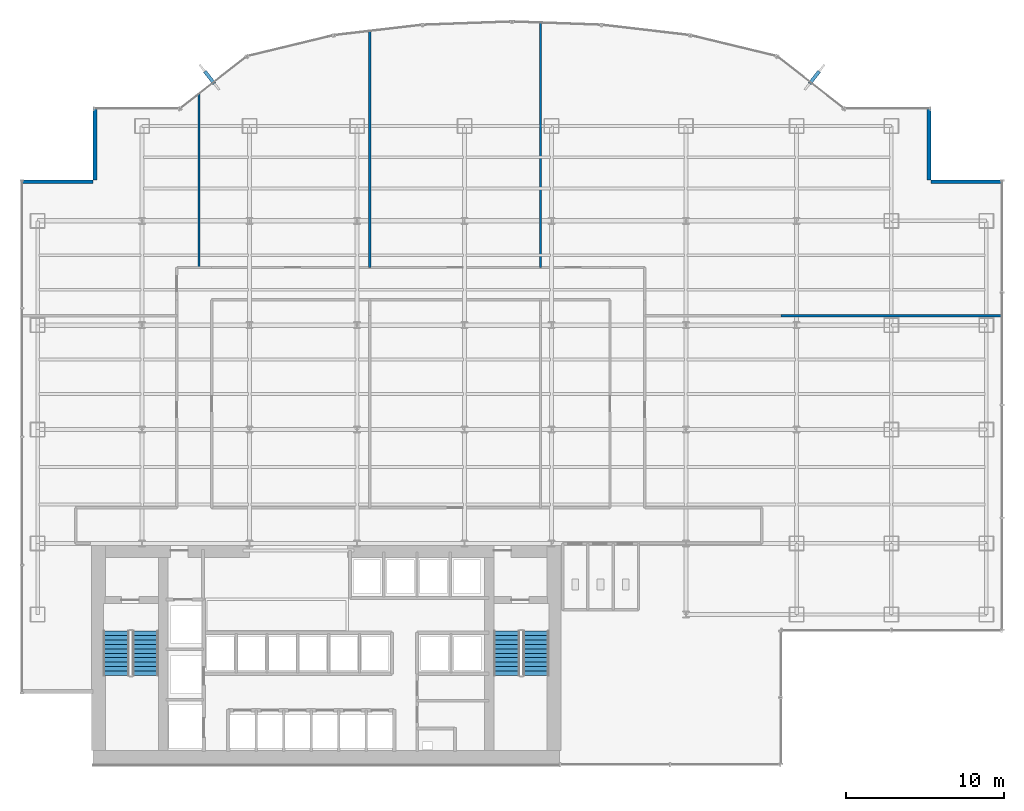
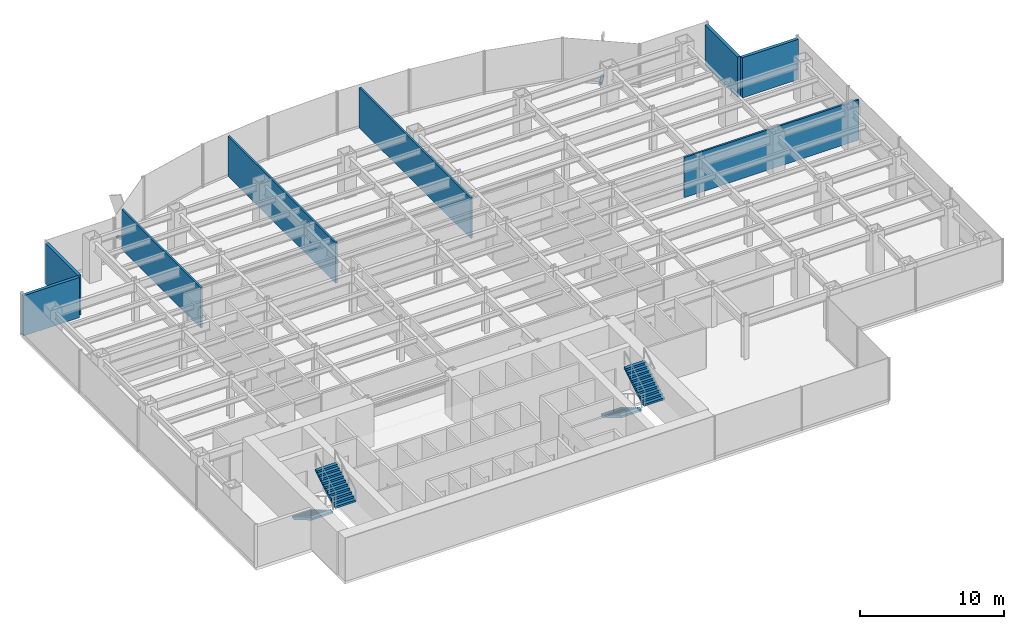
# One storey, part 20 of 23: 8 walls, 4 stair flights, 2 discrete accessories, 2 elements without a shape of their own.
"""IFC4 building model written with IfcOpenShell, lengths in metres."""

from ifc_helpers import new_model, si_unit, derived_unit, direction, frame, frame_2d, origin, origin_2d, place, context, subcontext, project, spatial, polyline, rectangle, outline, extrude, source, transform, mapped, material, layer, layer_set, type_object, element, aggregate, save


model = new_model("IFC4")

# Units and contexts
model_context = context("Model", 3, precision=1e-05, world=origin(), true_north=direction((0.0, 1.0)))
body_context = subcontext(model_context, "Body", "Model", "MODEL_VIEW")
ifc_project = project(units=[si_unit("LENGTHUNIT", "METRE"), si_unit("AREAUNIT", "SQUARE_METRE"), si_unit("VOLUMEUNIT", "CUBIC_METRE"), si_unit("PLANEANGLEUNIT", "RADIAN"), si_unit("MASSUNIT", "GRAM", prefix="KILO"), derived_unit("THERMALTRANSMITTANCEUNIT", [(si_unit("POWERUNIT", "WATT"), 1), (si_unit("LENGTHUNIT", "METRE"), -2), (si_unit("THERMODYNAMICTEMPERATUREUNIT", "KELVIN"), -1)])], contexts=[model_context])

# Site, building, storey
site_placement = place(None, origin())
site = spatial("IfcSite", under=ifc_project, at=site_placement, CompositionType="ELEMENT")
building_placement = place(site_placement, origin())
building = spatial("IfcBuilding", under=site, at=building_placement, Name="Skarnbrae Concourse Arena and Tower", CompositionType="ELEMENT")
storey_placement = place(building_placement, frame((0.0, 0.0, 54.39990234375)))
storey = spatial("IfcBuildingStorey", under=building, at=storey_placement, Name="L12", CompositionType="ELEMENT", Elevation=54.39990234375)

# Walls
ifc_material_1 = material(Name="Precast concrete 40 MPa (C40/50)", Category="concrete")
ifc_layer_1 = layer(ifc_material_1, 0.25)
ifc_layer_set_1 = layer_set([ifc_layer_1], Name="Precast concrete 40 MPa (C40/50)")
wall_type_1 = type_object("IfcWallType", Name="WALL-EXT-SPANDREL-250", PredefinedType="STANDARD", material=ifc_layer_set_1)
shared_shape_1 = source(origin(), body_context, "Body", "SweptSolid", [
    extrude(rectangle(XDim=4.5, YDim=0.25, at=frame_2d((2.25, 0.0))), origin(), (0.0, 0.0, 1.0), 3.400146484375),
])
for number, where, z_axis, x_axis, name in (
    (1, (62.0, 36.875, 0.0), (0.0, 0.0, 1.0), (-1.0, 0.0, 0.0), "L12 Notched corner insulated return wall 05"),
    (2, (57.375, 37.0, 0.0), (0.0, 0.0, 1.0), (0.0, 1.0, 0.0), "L12 Notched corner insulated return wall 06"),
    (3, (4.625, 41.5, 0.0), (0.0, 0.0, 1.0), (0.0, -1.0, 0.0), "L12 Notched corner insulated return wall 17"),
    (4, (4.5, 36.875, 0.0), (0.0, 0.0, 1.0), (-1.0, 0.0, 0.0), "L12 Notched corner insulated return wall 18"),
):
    element("IfcWall", number, at=place(storey_placement, frame(where, z_axis=z_axis, x_axis=x_axis)), inside=storey, type_object=wall_type_1, Name=name, PredefinedType="STANDARD", context=body_context, shape_type="MappedRepresentation", body=[
        mapped(shared_shape_1, transform((0.0, 0.0, 0.0))),
    ])
ifc_material_2 = material(Name="Gypsum board on cold-formed steel studs", Category="steel")
ifc_layer_2 = layer(ifc_material_2, 0.14990234375)
ifc_layer_set_2 = layer_set([ifc_layer_2], Name="Gypsum board on cold-formed steel studs")
wall_type_2 = type_object("IfcWallType", Name="WALL-PART-150", PredefinedType="PARTITIONING", material=ifc_layer_set_2)
shared_shape_2 = source(origin(), body_context, "Body", "SweptSolid", [
    extrude(rectangle(XDim=10.96337890625, YDim=0.14990234375, at=frame_2d((5.481689453125, 0.0))), origin(), (0.0, 0.0, 1.0), 3.400146484375),
])
wall_1_placement = place(storey_placement, frame((11.199951171875, 42.413330078125, 0.0), z_axis=(0.0, 0.0, 1.0), x_axis=(0.0, -1.0, 0.0)))
element("IfcWall", 5, at=wall_1_placement, inside=storey, type_object=wall_type_2, Name="L12 Interior partition wall W-L12-DEM-19", PredefinedType="PARTITIONING", context=body_context, shape_type="MappedRepresentation", body=[
    mapped(shared_shape_2, transform((0.0, 0.0, 0.0))),
])
shared_shape_3 = source(origin(), body_context, "Body", "SweptSolid", [
    extrude(rectangle(XDim=14.935791015625, YDim=0.14990234375, at=frame_2d((7.4677734375, 0.0))), origin(), (0.0, 0.0, 1.0), 3.400146484375),
])
wall_2_placement = place(storey_placement, frame((22.0, 46.3857421875, 0.0), z_axis=(0.0, 0.0, 1.0), x_axis=(0.0, -1.0, 0.0)))
element("IfcWall", 6, at=wall_2_placement, inside=storey, type_object=wall_type_2, Name="L12 Interior partition wall W-L12-DEM-22", PredefinedType="PARTITIONING", context=body_context, shape_type="MappedRepresentation", body=[
    mapped(shared_shape_3, transform((0.0, 0.0, 0.0))),
])
shared_shape_4 = source(origin(), body_context, "Body", "SweptSolid", [
    extrude(rectangle(XDim=15.46533203125, YDim=0.14990234375, at=frame_2d((7.732666015625, 0.0))), origin(), (0.0, 0.0, 1.0), 3.400146484375),
])
wall_3_placement = place(storey_placement, frame((32.800048828125, 46.915283203125, 0.0), z_axis=(0.0, 0.0, 1.0), x_axis=(0.0, -1.0, 0.0)))
element("IfcWall", 7, at=wall_3_placement, inside=storey, type_object=wall_type_2, Name="L12 Interior partition wall W-L12-DEM-25", PredefinedType="PARTITIONING", context=body_context, shape_type="MappedRepresentation", body=[
    mapped(shared_shape_4, transform((0.0, 0.0, 0.0))),
])
shared_shape_5 = source(origin(), body_context, "Body", "SweptSolid", [
    extrude(rectangle(XDim=13.97998046875, YDim=0.14990234375, at=frame_2d((6.989990234375, 0.0))), origin(), (0.0, 0.0, 1.0), 3.400146484375),
])
wall_4_placement = place(storey_placement, frame((61.97998046875, 28.39990234375, 0.0), z_axis=(0.0, 0.0, 1.0), x_axis=(-1.0, 0.0, 0.0)))
element("IfcWall", 8, at=wall_4_placement, inside=storey, type_object=wall_type_2, Name="L12 Interior partition wall W-L12-DEM-26", PredefinedType="PARTITIONING", context=body_context, shape_type="MappedRepresentation", body=[
    mapped(shared_shape_5, transform((0.0, 0.0, 0.0))),
])

# Stair, stair flights
ifc_material_3 = material(Name="Concrete 40 MPa (C40/50)", Category="concrete")
stair_type = type_object("IfcStairType", Name="STAIR-DOGLEG-1650", PredefinedType="HALF_TURN_STAIR", material=ifc_material_3)
stair_1_placement = place(storey_placement, origin())
stair_1 = element("IfcStair", 9, at=stair_1_placement, inside=storey, type_object=stair_type, Name="L12 Protected Exit Stair ST-1", PredefinedType="HALF_TURN_STAIR")
stair_flight_type = type_object("IfcStairFlightType", Name="FLIGHT-STRAIGHT-1650", PredefinedType="STRAIGHT", material=ifc_material_3)
shared_shape_6 = source(origin(), body_context, "Body", "SweptSolid", [
    extrude(outline(polyline([(0.0, 0.0), (0.0, 0.166015625), (0.280029296875, 0.166015625), (0.280029296875, 0.331787109375), (0.56005859375, 0.331787109375), (0.56005859375, 0.497802734375), (0.840087890625, 0.497802734375), (0.840087890625, 0.66357421875), (1.1201171875, 0.66357421875), (1.1201171875, 0.82958984375), (1.39990234375, 0.82958984375), (1.39990234375, 0.995361328125), (1.679931640625, 0.995361328125), (1.679931640625, 1.161376953125), (1.9599609375, 1.161376953125), (1.9599609375, 1.327392578125), (2.239990234375, 1.327392578125), (2.239990234375, 1.4931640625), (2.52001953125, 1.4931640625), (2.52001953125, 1.6591796875), (2.800048828125, 1.6591796875), (2.800048828125, 1.824951171875), (2.800048828125, 1.48486328125), (0.2939453125, 0.0), (0.0, 0.0)])), frame((0.0, 0.824951171875, 0.0), z_axis=(0.0, -1.0, 0.0), x_axis=(1.0, 0.0, 0.0)), (0.0, 0.0, 1.0), 1.64990234375),
])
stair_flight_1_placement = place(storey_placement, frame((5.97509765625, 8.449951171875, 0.0), z_axis=(0.0, 0.0, 1.0), x_axis=(0.0, -1.0, 0.0)))
stair_flight_1 = element("IfcStairFlight", 10, at=stair_flight_1_placement, type_object=stair_flight_type, Name="ST-1 flight 1", NumberOfRisers=11, NumberOfTreads=10, PredefinedType="STRAIGHT", RiserHeight=0.165909091, TreadLength=0.28, context=body_context, shape_type="MappedRepresentation", body=[
    mapped(shared_shape_6, transform((0.0, 0.0, 0.0))),
])
stair_flight_2_placement = place(storey_placement, frame((7.824951171875, 5.64990234375, 1.8251953125), z_axis=(0.0, 0.0, 1.0), x_axis=(0.0, 1.0, 0.0)))
stair_flight_2 = element("IfcStairFlight", 11, at=stair_flight_2_placement, type_object=stair_flight_type, Name="ST-1 flight 2", NumberOfRisers=11, NumberOfTreads=10, PredefinedType="STRAIGHT", RiserHeight=0.165909091, TreadLength=0.28, context=body_context, shape_type="MappedRepresentation", body=[
    mapped(shared_shape_6, transform((0.0, 0.0, 0.0))),
])
aggregate(stair_1, [stair_flight_1, stair_flight_2])

stair_2_placement = place(storey_placement, origin())
stair_2 = element("IfcStair", 12, at=stair_2_placement, inside=storey, type_object=stair_type, Name="L12 Protected Exit Stair ST-2", PredefinedType="HALF_TURN_STAIR")
stair_flight_3_placement = place(storey_placement, frame((30.675048828125, 8.449951171875, 0.0), z_axis=(0.0, 0.0, 1.0), x_axis=(0.0, -1.0, 0.0)))
stair_flight_3 = element("IfcStairFlight", 13, at=stair_flight_3_placement, type_object=stair_flight_type, Name="ST-2 flight 1", NumberOfRisers=11, NumberOfTreads=10, PredefinedType="STRAIGHT", RiserHeight=0.165909091, TreadLength=0.28, context=body_context, shape_type="MappedRepresentation", body=[
    mapped(shared_shape_6, transform((0.0, 0.0, 0.0))),
])
stair_flight_4_placement = place(storey_placement, frame((32.52490234375, 5.64990234375, 1.8251953125), z_axis=(0.0, 0.0, 1.0), x_axis=(0.0, 1.0, 0.0)))
stair_flight_4 = element("IfcStairFlight", 14, at=stair_flight_4_placement, type_object=stair_flight_type, Name="ST-2 flight 2", NumberOfRisers=11, NumberOfTreads=10, PredefinedType="STRAIGHT", RiserHeight=0.165909091, TreadLength=0.28, context=body_context, shape_type="MappedRepresentation", body=[
    mapped(shared_shape_6, transform((0.0, 0.0, 0.0))),
])
aggregate(stair_2, [stair_flight_3, stair_flight_4])

# Discrete accessories
ifc_material_4 = material(Name="Bronze anodised aluminium 6063-T6", Category="aluminium")
discrete_accessory_type = type_object("IfcDiscreteAccessoryType", Name="ACC-FIN-BRACKET", PredefinedType="BRACKET", material=ifc_material_4)
shared_shape_7 = source(origin(), body_context, "Body", "SweptSolid", [
    extrude(rectangle(XDim=0.219970703125, YDim=0.97998046875, at=origin_2d()), origin(), (0.0, 0.0, 1.0), 0.179931640625),
])
for number, where, z_axis, x_axis, name in (
    (15, (50.129638671875, 43.470947265625, -0.02978515625), (0.0, 0.0, 1.0), (0.787656027369, -0.616115234797, 0.0), "L12 Bronze fin foot support bracket 08"),
    (16, (11.870361328125, 43.470947265625, -0.02978515625), (0.0, 0.0, 1.0), (0.787656027369, 0.616115234797, 0.0), "L12 Bronze fin foot support bracket 15"),
):
    element("IfcDiscreteAccessory", number, at=place(storey_placement, frame(where, z_axis=z_axis, x_axis=x_axis)), inside=storey, type_object=discrete_accessory_type, Name=name, PredefinedType="BRACKET", context=body_context, shape_type="MappedRepresentation", body=[
        mapped(shared_shape_7, transform((0.0, 0.0, 0.0))),
    ])

save(model, "model.ifc")
